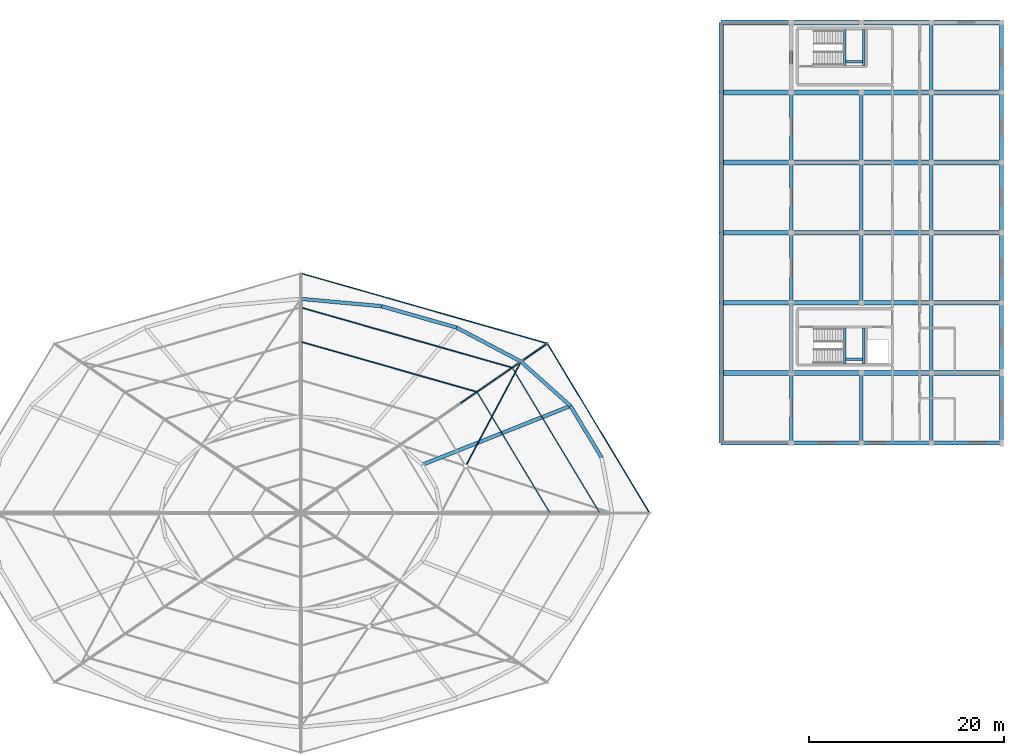
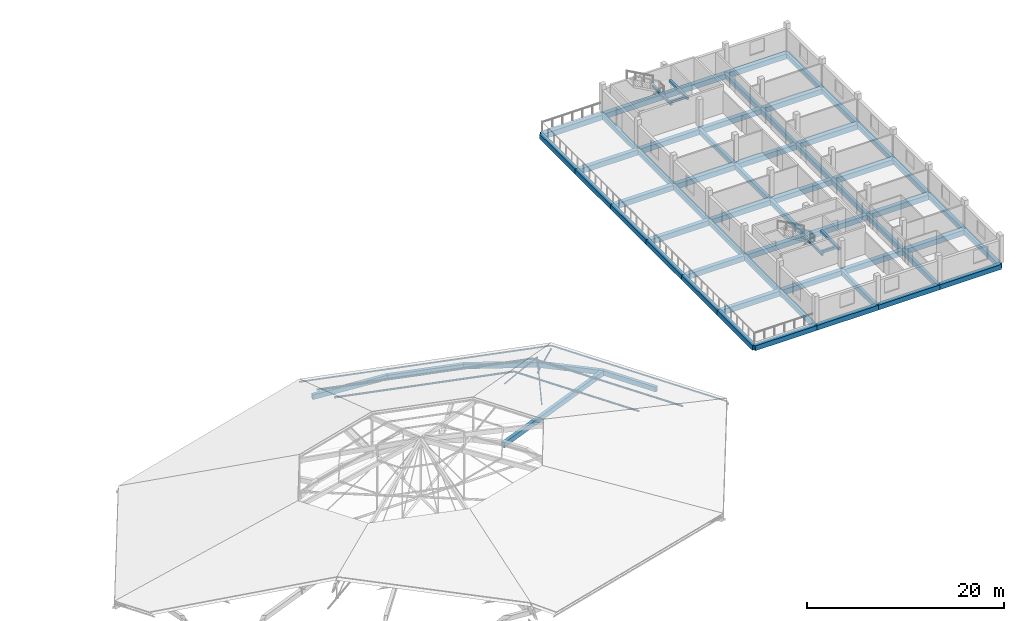
# One storey, part 39 of 66: 68 beams, 9 members.
"""IFC4 building model written with IfcOpenShell, lengths in metres."""

from ifc_helpers import new_model, si_unit, direction, frame, origin, origin_2d, place, context, subcontext, project, spatial, rectangle, hollow_rectangle, hollow_circle, i_section, extrude, material, material_profile, profile_set, type_object, element, save


model = new_model("IFC4")

# Units and contexts
model_context = context("Model", 3, precision=1e-05, world=origin(), true_north=direction((0.0, 1.0)))
body_context = subcontext(model_context, "Body", "Model", "MODEL_VIEW")
ifc_project = project(units=[si_unit("LENGTHUNIT", "METRE"), si_unit("AREAUNIT", "SQUARE_METRE"), si_unit("VOLUMEUNIT", "CUBIC_METRE"), si_unit("PLANEANGLEUNIT", "RADIAN"), si_unit("MASSUNIT", "GRAM", prefix="KILO")], contexts=[model_context])

# Site, building, storey
site_placement = place(None, origin())
site = spatial("IfcSite", under=ifc_project, at=site_placement, CompositionType="ELEMENT")
building_placement = place(site_placement, origin())
building = spatial("IfcBuilding", under=site, at=building_placement, Name="Zornivar Specialist Clinic", CompositionType="ELEMENT")
storey_placement = place(building_placement, frame((0.0, 0.0, 16.0)))
storey = spatial("IfcBuildingStorey", under=building, at=storey_placement, Name="L04", CompositionType="ELEMENT", Elevation=16.0)

# Beams
ifc_material_1 = material(Name="Concrete C30/37", Category="concrete")
ifc_material_profile_1 = material_profile(ifc_material_1, rectangle(XDim=0.25, YDim=0.300048828125, at=origin_2d()), Name="RC 250x300")
ifc_profile_set_1 = profile_set([ifc_material_profile_1], Name="Concrete C30/37")
beam_type_1 = type_object("IfcBeamType", Name="BM-LAND-250x300", PredefinedType="BEAM", material=ifc_profile_set_1)
for number, where, z_axis, x_axis, name in (
    (1, (149.5, 72.919921875, 1.52001953125), (0.0, 1.0, 0.0), (-1.0, 0.0, 0.0), "bm:stair:C9:L04:lW"),
    (2, (151.4599609375, 72.919921875, 1.52001953125), (0.0, 1.0, 0.0), (-1.0, 0.0, 0.0), "bm:stair:C9:L04:lE"),
):
    element("IfcBeam", number, at=place(storey_placement, frame(where, z_axis=z_axis, x_axis=x_axis)), inside=storey, type_object=beam_type_1, Name=name, PredefinedType="BEAM", context=body_context, shape_type="SweptSolid", body=[
        extrude(rectangle(XDim=0.25, YDim=0.300048828125, at=origin_2d()), origin(), (0.0, 0.0, 1.0), 3.68017578125),
    ])
beam_1_placement = place(storey_placement, frame((149.635009765625, 73.3798828125, 1.52001953125), z_axis=(1.0, 0.0, 0.0), x_axis=(0.0, 1.0, 0.0)))
element("IfcBeam", 3, at=beam_1_placement, inside=storey, type_object=beam_type_1, Name="bm:stair:C9:L04:lS", PredefinedType="BEAM", context=body_context, shape_type="SweptSolid", body=[
    extrude(rectangle(XDim=0.25, YDim=0.300048828125, at=origin_2d()), origin(), (0.0, 0.0, 1.0), 1.68994140625),
])
for number, where, z_axis, x_axis, name in (
    (4, (149.5, 103.60009765625, 1.52001953125), (0.0, 1.0, 0.0), (-1.0, 0.0, 0.0), "bm:stair:C10:L04:lW"),
    (5, (151.4599609375, 103.60009765625, 1.52001953125), (0.0, 1.0, 0.0), (-1.0, 0.0, 0.0), "bm:stair:C10:L04:lE"),
):
    element("IfcBeam", number, at=place(storey_placement, frame(where, z_axis=z_axis, x_axis=x_axis)), inside=storey, type_object=beam_type_1, Name=name, PredefinedType="BEAM", context=body_context, shape_type="SweptSolid", body=[
        extrude(rectangle(XDim=0.25, YDim=0.300048828125, at=origin_2d()), origin(), (0.0, 0.0, 1.0), 3.679931640625),
    ])
beam_2_placement = place(storey_placement, frame((149.635009765625, 103.97998046875, 1.52001953125), z_axis=(1.0, 0.0, 0.0), x_axis=(0.0, 1.0, 0.0)))
element("IfcBeam", 6, at=beam_2_placement, inside=storey, type_object=beam_type_1, Name="bm:stair:C10:L04:lS", PredefinedType="BEAM", context=body_context, shape_type="SweptSolid", body=[
    extrude(rectangle(XDim=0.25, YDim=0.300048828125, at=origin_2d()), origin(), (0.0, 0.0, 1.0), 1.68994140625),
])
ifc_material_2 = material(Name="Concrete C30/37", Category="concrete")
ifc_material_profile_2 = material_profile(ifc_material_2, rectangle(XDim=0.360107421875, YDim=0.60009765625, at=origin_2d()), Name="RC 360x600")
ifc_profile_set_2 = profile_set([ifc_material_profile_2], Name="Concrete C30/37")
beam_type_2 = type_object("IfcBeamType", Name="BM-RC-360x600", PredefinedType="BEAM", material=ifc_profile_set_2)
for number, where, z_axis, x_axis, name in (
    (7, (144.0, 64.800048828125, -0.6201171875), (0.0, 1.0, 0.0), (-1.0, 0.0, 0.0), "bm:V6:L04:y:1440:0"),
    (8, (144.0, 72.0, -0.6201171875), (0.0, 1.0, 0.0), (-1.0, 0.0, 0.0), "bm:V6:L04:y:1440:1"),
    (9, (144.0, 79.199951171875, -0.6201171875), (0.0, 1.0, 0.0), (-1.0, 0.0, 0.0), "bm:V6:L04:y:1440:2"),
):
    element("IfcBeam", number, at=place(storey_placement, frame(where, z_axis=z_axis, x_axis=x_axis)), inside=storey, type_object=beam_type_2, Name=name, PredefinedType="BEAM", context=body_context, shape_type="SweptSolid", body=[
        extrude(rectangle(XDim=0.360107421875, YDim=0.60009765625, at=origin_2d()), origin(), (0.0, 0.0, 1.0), 7.199951171875),
    ])
beam_3_placement = place(storey_placement, frame((144.0, 86.39990234375, -0.6201171875), z_axis=(0.0, 1.0, 0.0), x_axis=(-1.0, 0.0, 0.0)))
element("IfcBeam", 10, at=beam_3_placement, inside=storey, type_object=beam_type_2, Name="bm:V6:L04:y:1440:3", PredefinedType="BEAM", context=body_context, shape_type="SweptSolid", body=[
    extrude(rectangle(XDim=0.360107421875, YDim=0.60009765625, at=origin_2d()), origin(), (0.0, 0.0, 1.0), 7.2001953125),
])
for number, where, z_axis, x_axis, name in (
    (11, (144.0, 93.60009765625, -0.6201171875), (0.0, 1.0, 0.0), (-1.0, 0.0, 0.0), "bm:V6:L04:y:1440:4"),
    (12, (144.0, 100.800048828125, -0.6201171875), (0.0, 1.0, 0.0), (-1.0, 0.0, 0.0), "bm:V6:L04:y:1440:5"),
    (13, (151.199951171875, 64.800048828125, -0.6201171875), (0.0, 1.0, 0.0), (-1.0, 0.0, 0.0), "bm:V6:L04:y:1512:0"),
    (14, (151.199951171875, 79.199951171875, -0.6201171875), (0.0, 1.0, 0.0), (-1.0, 0.0, 0.0), "bm:V6:L04:y:1512:2"),
):
    element("IfcBeam", number, at=place(storey_placement, frame(where, z_axis=z_axis, x_axis=x_axis)), inside=storey, type_object=beam_type_2, Name=name, PredefinedType="BEAM", context=body_context, shape_type="SweptSolid", body=[
        extrude(rectangle(XDim=0.360107421875, YDim=0.60009765625, at=origin_2d()), origin(), (0.0, 0.0, 1.0), 7.199951171875),
    ])
beam_4_placement = place(storey_placement, frame((151.199951171875, 86.39990234375, -0.6201171875), z_axis=(0.0, 1.0, 0.0), x_axis=(-1.0, 0.0, 0.0)))
element("IfcBeam", 15, at=beam_4_placement, inside=storey, type_object=beam_type_2, Name="bm:V6:L04:y:1512:3", PredefinedType="BEAM", context=body_context, shape_type="SweptSolid", body=[
    extrude(rectangle(XDim=0.360107421875, YDim=0.60009765625, at=origin_2d()), origin(), (0.0, 0.0, 1.0), 7.2001953125),
])
for number, where, z_axis, x_axis, name in (
    (16, (151.199951171875, 93.60009765625, -0.6201171875), (0.0, 1.0, 0.0), (-1.0, 0.0, 0.0), "bm:V6:L04:y:1512:4"),
    (17, (158.39990234375, 64.800048828125, -0.6201171875), (0.0, 1.0, 0.0), (-1.0, 0.0, 0.0), "bm:V6:L04:y:1584:0"),
    (18, (158.39990234375, 72.0, -0.6201171875), (0.0, 1.0, 0.0), (-1.0, 0.0, 0.0), "bm:V6:L04:y:1584:1"),
    (19, (158.39990234375, 79.199951171875, -0.6201171875), (0.0, 1.0, 0.0), (-1.0, 0.0, 0.0), "bm:V6:L04:y:1584:2"),
):
    element("IfcBeam", number, at=place(storey_placement, frame(where, z_axis=z_axis, x_axis=x_axis)), inside=storey, type_object=beam_type_2, Name=name, PredefinedType="BEAM", context=body_context, shape_type="SweptSolid", body=[
        extrude(rectangle(XDim=0.360107421875, YDim=0.60009765625, at=origin_2d()), origin(), (0.0, 0.0, 1.0), 7.199951171875),
    ])
beam_5_placement = place(storey_placement, frame((158.39990234375, 86.39990234375, -0.6201171875), z_axis=(0.0, 1.0, 0.0), x_axis=(-1.0, 0.0, 0.0)))
element("IfcBeam", 20, at=beam_5_placement, inside=storey, type_object=beam_type_2, Name="bm:V6:L04:y:1584:3", PredefinedType="BEAM", context=body_context, shape_type="SweptSolid", body=[
    extrude(rectangle(XDim=0.360107421875, YDim=0.60009765625, at=origin_2d()), origin(), (0.0, 0.0, 1.0), 7.2001953125),
])
for number, where, z_axis, x_axis, name in (
    (21, (158.39990234375, 93.60009765625, -0.6201171875), (0.0, 1.0, 0.0), (-1.0, 0.0, 0.0), "bm:V6:L04:y:1584:4"),
    (22, (158.39990234375, 100.800048828125, -0.6201171875), (0.0, 1.0, 0.0), (-1.0, 0.0, 0.0), "bm:V6:L04:y:1584:5"),
):
    element("IfcBeam", number, at=place(storey_placement, frame(where, z_axis=z_axis, x_axis=x_axis)), inside=storey, type_object=beam_type_2, Name=name, PredefinedType="BEAM", context=body_context, shape_type="SweptSolid", body=[
        extrude(rectangle(XDim=0.360107421875, YDim=0.60009765625, at=origin_2d()), origin(), (0.0, 0.0, 1.0), 7.199951171875),
    ])
ifc_material_3 = material(Name="Concrete C30/37", Category="concrete")
ifc_material_profile_3 = material_profile(ifc_material_3, rectangle(XDim=0.5, YDim=0.64990234375, at=origin_2d()), Name="RC 500x650")
ifc_profile_set_3 = profile_set([ifc_material_profile_3], Name="Concrete C30/37")
beam_type_3 = type_object("IfcBeamType", Name="BM-RC-500x650", PredefinedType="BEAM", material=ifc_profile_set_3)
for number, where, z_axis, x_axis, name in (
    (23, (136.800048828125, 72.0, -0.64501953125), (1.0, 0.0, 0.0), (0.0, 1.0, 0.0), "bm:V6:L04:x:720:0"),
    (24, (144.0, 72.0, -0.64501953125), (1.0, 0.0, 0.0), (0.0, 1.0, 0.0), "bm:V6:L04:x:720:1"),
    (25, (151.199951171875, 72.0, -0.64501953125), (1.0, 0.0, 0.0), (0.0, 1.0, 0.0), "bm:V6:L04:x:720:2"),
):
    element("IfcBeam", number, at=place(storey_placement, frame(where, z_axis=z_axis, x_axis=x_axis)), inside=storey, type_object=beam_type_3, Name=name, PredefinedType="BEAM", context=body_context, shape_type="SweptSolid", body=[
        extrude(rectangle(XDim=0.5, YDim=0.64990234375, at=origin_2d()), origin(), (0.0, 0.0, 1.0), 7.199951171875),
    ])
beam_6_placement = place(storey_placement, frame((158.39990234375, 72.0, -0.64501953125), z_axis=(1.0, 0.0, 0.0), x_axis=(0.0, 1.0, 0.0)))
element("IfcBeam", 26, at=beam_6_placement, inside=storey, type_object=beam_type_3, Name="bm:V6:L04:x:720:3", PredefinedType="BEAM", context=body_context, shape_type="SweptSolid", body=[
    extrude(rectangle(XDim=0.5, YDim=0.64990234375, at=origin_2d()), origin(), (0.0, 0.0, 1.0), 7.2001953125),
])
for number, where, z_axis, x_axis, name in (
    (27, (136.800048828125, 79.199951171875, -0.64501953125), (1.0, 0.0, 0.0), (0.0, 1.0, 0.0), "bm:V6:L04:x:792:0"),
    (28, (144.0, 79.199951171875, -0.64501953125), (1.0, 0.0, 0.0), (0.0, 1.0, 0.0), "bm:V6:L04:x:792:1"),
    (29, (151.199951171875, 79.199951171875, -0.64501953125), (1.0, 0.0, 0.0), (0.0, 1.0, 0.0), "bm:V6:L04:x:792:2"),
):
    element("IfcBeam", number, at=place(storey_placement, frame(where, z_axis=z_axis, x_axis=x_axis)), inside=storey, type_object=beam_type_3, Name=name, PredefinedType="BEAM", context=body_context, shape_type="SweptSolid", body=[
        extrude(rectangle(XDim=0.5, YDim=0.64990234375, at=origin_2d()), origin(), (0.0, 0.0, 1.0), 7.199951171875),
    ])
beam_7_placement = place(storey_placement, frame((158.39990234375, 79.199951171875, -0.64501953125), z_axis=(1.0, 0.0, 0.0), x_axis=(0.0, 1.0, 0.0)))
element("IfcBeam", 30, at=beam_7_placement, inside=storey, type_object=beam_type_3, Name="bm:V6:L04:x:792:3", PredefinedType="BEAM", context=body_context, shape_type="SweptSolid", body=[
    extrude(rectangle(XDim=0.5, YDim=0.64990234375, at=origin_2d()), origin(), (0.0, 0.0, 1.0), 7.2001953125),
])
for number, where, z_axis, x_axis, name in (
    (31, (136.800048828125, 86.39990234375, -0.64501953125), (1.0, 0.0, 0.0), (0.0, 1.0, 0.0), "bm:V6:L04:x:864:0"),
    (32, (144.0, 86.39990234375, -0.64501953125), (1.0, 0.0, 0.0), (0.0, 1.0, 0.0), "bm:V6:L04:x:864:1"),
    (33, (151.199951171875, 86.39990234375, -0.64501953125), (1.0, 0.0, 0.0), (0.0, 1.0, 0.0), "bm:V6:L04:x:864:2"),
):
    element("IfcBeam", number, at=place(storey_placement, frame(where, z_axis=z_axis, x_axis=x_axis)), inside=storey, type_object=beam_type_3, Name=name, PredefinedType="BEAM", context=body_context, shape_type="SweptSolid", body=[
        extrude(rectangle(XDim=0.5, YDim=0.64990234375, at=origin_2d()), origin(), (0.0, 0.0, 1.0), 7.199951171875),
    ])
beam_8_placement = place(storey_placement, frame((158.39990234375, 86.39990234375, -0.64501953125), z_axis=(1.0, 0.0, 0.0), x_axis=(0.0, 1.0, 0.0)))
element("IfcBeam", 34, at=beam_8_placement, inside=storey, type_object=beam_type_3, Name="bm:V6:L04:x:864:3", PredefinedType="BEAM", context=body_context, shape_type="SweptSolid", body=[
    extrude(rectangle(XDim=0.5, YDim=0.64990234375, at=origin_2d()), origin(), (0.0, 0.0, 1.0), 7.2001953125),
])
for number, where, z_axis, x_axis, name in (
    (35, (136.800048828125, 93.60009765625, -0.64501953125), (1.0, 0.0, 0.0), (0.0, 1.0, 0.0), "bm:V6:L04:x:936:0"),
    (36, (144.0, 93.60009765625, -0.64501953125), (1.0, 0.0, 0.0), (0.0, 1.0, 0.0), "bm:V6:L04:x:936:1"),
    (37, (151.199951171875, 93.60009765625, -0.64501953125), (1.0, 0.0, 0.0), (0.0, 1.0, 0.0), "bm:V6:L04:x:936:2"),
):
    element("IfcBeam", number, at=place(storey_placement, frame(where, z_axis=z_axis, x_axis=x_axis)), inside=storey, type_object=beam_type_3, Name=name, PredefinedType="BEAM", context=body_context, shape_type="SweptSolid", body=[
        extrude(rectangle(XDim=0.5, YDim=0.64990234375, at=origin_2d()), origin(), (0.0, 0.0, 1.0), 7.199951171875),
    ])
beam_9_placement = place(storey_placement, frame((158.39990234375, 93.60009765625, -0.64501953125), z_axis=(1.0, 0.0, 0.0), x_axis=(0.0, 1.0, 0.0)))
element("IfcBeam", 38, at=beam_9_placement, inside=storey, type_object=beam_type_3, Name="bm:V6:L04:x:936:3", PredefinedType="BEAM", context=body_context, shape_type="SweptSolid", body=[
    extrude(rectangle(XDim=0.5, YDim=0.64990234375, at=origin_2d()), origin(), (0.0, 0.0, 1.0), 7.2001953125),
])
for number, where, z_axis, x_axis, name in (
    (39, (136.800048828125, 100.800048828125, -0.64501953125), (1.0, 0.0, 0.0), (0.0, 1.0, 0.0), "bm:V6:L04:x:1008:0"),
    (40, (144.0, 100.800048828125, -0.64501953125), (1.0, 0.0, 0.0), (0.0, 1.0, 0.0), "bm:V6:L04:x:1008:1"),
    (41, (151.199951171875, 100.800048828125, -0.64501953125), (1.0, 0.0, 0.0), (0.0, 1.0, 0.0), "bm:V6:L04:x:1008:2"),
):
    element("IfcBeam", number, at=place(storey_placement, frame(where, z_axis=z_axis, x_axis=x_axis)), inside=storey, type_object=beam_type_3, Name=name, PredefinedType="BEAM", context=body_context, shape_type="SweptSolid", body=[
        extrude(rectangle(XDim=0.5, YDim=0.64990234375, at=origin_2d()), origin(), (0.0, 0.0, 1.0), 7.199951171875),
    ])
beam_10_placement = place(storey_placement, frame((158.39990234375, 100.800048828125, -0.64501953125), z_axis=(1.0, 0.0, 0.0), x_axis=(0.0, 1.0, 0.0)))
element("IfcBeam", 42, at=beam_10_placement, inside=storey, type_object=beam_type_3, Name="bm:V6:L04:x:1008:3", PredefinedType="BEAM", context=body_context, shape_type="SweptSolid", body=[
    extrude(rectangle(XDim=0.5, YDim=0.64990234375, at=origin_2d()), origin(), (0.0, 0.0, 1.0), 7.2001953125),
])
for number, where, z_axis, x_axis, name in (
    (43, (136.800048828125, 108.0, -0.64501953125), (1.0, 0.0, 0.0), (0.0, 1.0, 0.0), "bm:V6:L04:x:1080:0"),
    (44, (144.0, 108.0, -0.64501953125), (1.0, 0.0, 0.0), (0.0, 1.0, 0.0), "bm:V6:L04:x:1080:1"),
    (45, (151.199951171875, 108.0, -0.64501953125), (1.0, 0.0, 0.0), (0.0, 1.0, 0.0), "bm:V6:L04:x:1080:2"),
):
    element("IfcBeam", number, at=place(storey_placement, frame(where, z_axis=z_axis, x_axis=x_axis)), inside=storey, type_object=beam_type_3, Name=name, PredefinedType="BEAM", context=body_context, shape_type="SweptSolid", body=[
        extrude(rectangle(XDim=0.5, YDim=0.64990234375, at=origin_2d()), origin(), (0.0, 0.0, 1.0), 7.199951171875),
    ])
beam_11_placement = place(storey_placement, frame((158.39990234375, 108.0, -0.64501953125), z_axis=(1.0, 0.0, 0.0), x_axis=(0.0, 1.0, 0.0)))
element("IfcBeam", 46, at=beam_11_placement, inside=storey, type_object=beam_type_3, Name="bm:V6:L04:x:1080:3", PredefinedType="BEAM", context=body_context, shape_type="SweptSolid", body=[
    extrude(rectangle(XDim=0.5, YDim=0.64990234375, at=origin_2d()), origin(), (0.0, 0.0, 1.0), 7.2001953125),
])
ifc_material_4 = material(Name="Concrete C30/37", Category="concrete")
ifc_material_profile_4 = material_profile(ifc_material_4, rectangle(XDim=0.3798828125, YDim=0.6201171875, at=origin_2d()), Name="RC 380x620")
ifc_profile_set_4 = profile_set([ifc_material_profile_4], Name="Concrete C30/37")
beam_type_4 = type_object("IfcBeamType", Name="BM-RC-CANT-380x620", PredefinedType="BEAM", material=ifc_profile_set_4)
beam_12_placement = place(storey_placement, frame((106.071044921875, 62.550048828125, -0.550048828125), z_axis=(0.929456031673, 0.368932900657, 0.0), x_axis=(-0.368932900657, 0.929456031673, 0.0)))
element("IfcBeam", 47, at=beam_12_placement, inside=storey, type_object=beam_type_4, Name="bm:V1:L04:radcant:02", PredefinedType="BEAM", context=body_context, shape_type="SweptSolid", body=[
    extrude(rectangle(XDim=0.3798828125, YDim=0.6201171875, at=origin_2d()), origin(), (0.0, 0.0, 1.0), 16.398681640625),
])
ifc_material_5 = material(Name="Concrete C30/37", Category="concrete")
ifc_material_profile_5 = material_profile(ifc_material_5, rectangle(XDim=0.3701171875, YDim=0.60009765625, at=origin_2d()), Name="RC 370x600")
ifc_profile_set_5 = profile_set([ifc_material_profile_5], Name="Concrete C30/37")
beam_type_5 = type_object("IfcBeamType", Name="BM-RC-SPANDREL-370x600", PredefinedType="SPANDREL", material=ifc_profile_set_5)
beam_13_placement = place(storey_placement, frame((124.510009765625, 63.2939453125, -0.5400390625), z_axis=(-0.516077084803, 0.856542142887, 0.0), x_axis=(-0.856542142887, -0.516077084803, 0.0)))
element("IfcBeam", 48, at=beam_13_placement, inside=storey, type_object=beam_type_5, Name="bm:V1:L04:outring:01", PredefinedType="SPANDREL", context=body_context, shape_type="SweptSolid", body=[
    extrude(rectangle(XDim=0.3701171875, YDim=0.60009765625, at=origin_2d()), origin(), (0.0, 0.0, 1.0), 6.19482421875),
])
beam_14_placement = place(storey_placement, frame((121.31298828125, 68.60009765625, -0.5400390625), z_axis=(-0.744853105459, 0.66722848507, 0.0), x_axis=(-0.66722848507, -0.744853105459, 0.0)))
element("IfcBeam", 49, at=beam_14_placement, inside=storey, type_object=beam_type_5, Name="bm:V1:L04:outring:02", PredefinedType="SPANDREL", context=body_context, shape_type="SweptSolid", body=[
    extrude(rectangle(XDim=0.3701171875, YDim=0.60009765625, at=origin_2d()), origin(), (0.0, 0.0, 1.0), 6.828125),
])
beam_15_placement = place(storey_placement, frame((116.22705078125, 73.156005859375, -0.5400390625), z_axis=(-0.884411650878, 0.466707651311, 0.0), x_axis=(-0.466707651311, -0.884411650878, 0.0)))
element("IfcBeam", 50, at=beam_15_placement, inside=storey, type_object=beam_type_5, Name="bm:V1:L04:outring:03", PredefinedType="SPANDREL", context=body_context, shape_type="SweptSolid", body=[
    extrude(rectangle(XDim=0.3701171875, YDim=0.60009765625, at=origin_2d()), origin(), (0.0, 0.0, 1.0), 7.4931640625),
])
beam_16_placement = place(storey_placement, frame((109.60009765625, 76.653076171875, -0.5400390625), z_axis=(-0.961790992591, 0.273784744957, 0.0), x_axis=(-0.273784744957, -0.961790992591, 0.0)))
element("IfcBeam", 51, at=beam_16_placement, inside=storey, type_object=beam_type_5, Name="bm:V1:L04:outring:04", PredefinedType="SPANDREL", context=body_context, shape_type="SweptSolid", body=[
    extrude(rectangle(XDim=0.3701171875, YDim=0.60009765625, at=origin_2d()), origin(), (0.0, 0.0, 1.0), 8.024658203125),
])
beam_17_placement = place(storey_placement, frame((101.882080078125, 78.85009765625, -0.5400390625), z_axis=(-0.99592467027, 0.09018897465, 0.0), x_axis=(-0.09018897465, -0.99592467027, 0.0)))
element("IfcBeam", 52, at=beam_17_placement, inside=storey, type_object=beam_type_5, Name="bm:V1:L04:outring:05", PredefinedType="SPANDREL", context=body_context, shape_type="SweptSolid", body=[
    extrude(rectangle(XDim=0.3701171875, YDim=0.60009765625, at=origin_2d()), origin(), (0.0, 0.0, 1.0), 8.31591796875),
])
ifc_material_6 = material(Name="Concrete C30/37", Category="concrete")
ifc_material_profile_6 = material_profile(ifc_material_6, rectangle(XDim=0.419921875, YDim=0.60009765625, at=origin_2d()), Name="RC 420x600")
ifc_profile_set_6 = profile_set([ifc_material_profile_6], Name="Concrete C30/37")
beam_type_6 = type_object("IfcBeamType", Name="BM-RC-SPANDREL-420x600", PredefinedType="SPANDREL", material=ifc_profile_set_6)
for number, where, z_axis, x_axis, name in (
    (53, (136.800048828125, 64.800048828125, -0.6201171875), (1.0, 0.0, 0.0), (0.0, 1.0, 0.0), "bm:V6:L04:x:648:0"),
    (54, (144.0, 64.800048828125, -0.6201171875), (1.0, 0.0, 0.0), (0.0, 1.0, 0.0), "bm:V6:L04:x:648:1"),
    (55, (151.199951171875, 64.800048828125, -0.6201171875), (1.0, 0.0, 0.0), (0.0, 1.0, 0.0), "bm:V6:L04:x:648:2"),
):
    element("IfcBeam", number, at=place(storey_placement, frame(where, z_axis=z_axis, x_axis=x_axis)), inside=storey, type_object=beam_type_6, Name=name, PredefinedType="SPANDREL", context=body_context, shape_type="SweptSolid", body=[
        extrude(rectangle(XDim=0.419921875, YDim=0.60009765625, at=origin_2d()), origin(), (0.0, 0.0, 1.0), 7.199951171875),
    ])
beam_18_placement = place(storey_placement, frame((158.39990234375, 64.800048828125, -0.6201171875), z_axis=(1.0, 0.0, 0.0), x_axis=(0.0, 1.0, 0.0)))
element("IfcBeam", 56, at=beam_18_placement, inside=storey, type_object=beam_type_6, Name="bm:V6:L04:x:648:3", PredefinedType="SPANDREL", context=body_context, shape_type="SweptSolid", body=[
    extrude(rectangle(XDim=0.419921875, YDim=0.60009765625, at=origin_2d()), origin(), (0.0, 0.0, 1.0), 7.2001953125),
])
for number, where, z_axis, x_axis, name in (
    (57, (136.800048828125, 64.800048828125, -0.6201171875), (0.0, 1.0, 0.0), (-1.0, 0.0, 0.0), "bm:V6:L04:y:1368:0"),
    (58, (136.800048828125, 72.0, -0.6201171875), (0.0, 1.0, 0.0), (-1.0, 0.0, 0.0), "bm:V6:L04:y:1368:1"),
    (59, (136.800048828125, 79.199951171875, -0.6201171875), (0.0, 1.0, 0.0), (-1.0, 0.0, 0.0), "bm:V6:L04:y:1368:2"),
):
    element("IfcBeam", number, at=place(storey_placement, frame(where, z_axis=z_axis, x_axis=x_axis)), inside=storey, type_object=beam_type_6, Name=name, PredefinedType="SPANDREL", context=body_context, shape_type="SweptSolid", body=[
        extrude(rectangle(XDim=0.419921875, YDim=0.60009765625, at=origin_2d()), origin(), (0.0, 0.0, 1.0), 7.199951171875),
    ])
beam_19_placement = place(storey_placement, frame((136.800048828125, 86.39990234375, -0.6201171875), z_axis=(0.0, 1.0, 0.0), x_axis=(-1.0, 0.0, 0.0)))
element("IfcBeam", 60, at=beam_19_placement, inside=storey, type_object=beam_type_6, Name="bm:V6:L04:y:1368:3", PredefinedType="SPANDREL", context=body_context, shape_type="SweptSolid", body=[
    extrude(rectangle(XDim=0.419921875, YDim=0.60009765625, at=origin_2d()), origin(), (0.0, 0.0, 1.0), 7.2001953125),
])
for number, where, z_axis, x_axis, name in (
    (61, (136.800048828125, 93.60009765625, -0.6201171875), (0.0, 1.0, 0.0), (-1.0, 0.0, 0.0), "bm:V6:L04:y:1368:4"),
    (62, (136.800048828125, 100.800048828125, -0.6201171875), (0.0, 1.0, 0.0), (-1.0, 0.0, 0.0), "bm:V6:L04:y:1368:5"),
    (63, (165.60009765625, 64.800048828125, -0.6201171875), (0.0, 1.0, 0.0), (-1.0, 0.0, 0.0), "bm:V6:L04:y:1656:0"),
    (64, (165.60009765625, 72.0, -0.6201171875), (0.0, 1.0, 0.0), (-1.0, 0.0, 0.0), "bm:V6:L04:y:1656:1"),
    (65, (165.60009765625, 79.199951171875, -0.6201171875), (0.0, 1.0, 0.0), (-1.0, 0.0, 0.0), "bm:V6:L04:y:1656:2"),
):
    element("IfcBeam", number, at=place(storey_placement, frame(where, z_axis=z_axis, x_axis=x_axis)), inside=storey, type_object=beam_type_6, Name=name, PredefinedType="SPANDREL", context=body_context, shape_type="SweptSolid", body=[
        extrude(rectangle(XDim=0.419921875, YDim=0.60009765625, at=origin_2d()), origin(), (0.0, 0.0, 1.0), 7.199951171875),
    ])
beam_20_placement = place(storey_placement, frame((165.60009765625, 86.39990234375, -0.6201171875), z_axis=(0.0, 1.0, 0.0), x_axis=(-1.0, 0.0, 0.0)))
element("IfcBeam", 66, at=beam_20_placement, inside=storey, type_object=beam_type_6, Name="bm:V6:L04:y:1656:3", PredefinedType="SPANDREL", context=body_context, shape_type="SweptSolid", body=[
    extrude(rectangle(XDim=0.419921875, YDim=0.60009765625, at=origin_2d()), origin(), (0.0, 0.0, 1.0), 7.2001953125),
])
for number, where, z_axis, x_axis, name in (
    (67, (165.60009765625, 93.60009765625, -0.6201171875), (0.0, 1.0, 0.0), (-1.0, 0.0, 0.0), "bm:V6:L04:y:1656:4"),
    (68, (165.60009765625, 100.800048828125, -0.6201171875), (0.0, 1.0, 0.0), (-1.0, 0.0, 0.0), "bm:V6:L04:y:1656:5"),
):
    element("IfcBeam", number, at=place(storey_placement, frame(where, z_axis=z_axis, x_axis=x_axis)), inside=storey, type_object=beam_type_6, Name=name, PredefinedType="SPANDREL", context=body_context, shape_type="SweptSolid", body=[
        extrude(rectangle(XDim=0.419921875, YDim=0.60009765625, at=origin_2d()), origin(), (0.0, 0.0, 1.0), 7.199951171875),
    ])

# Members
ifc_material_7 = material(Name="Steel S355J2", Category="steel")
ifc_material_profile_7 = material_profile(ifc_material_7, hollow_circle(Radius=0.06982421875, WallThickness=0.010009765625, at=origin_2d()), Name="CHS 139.7x10")
ifc_profile_set_7 = profile_set([ifc_material_profile_7], Name="Steel S355J2")
member_type_1 = type_object("IfcMemberType", Name="MEM-DIAG-CHS140H", PredefinedType="BRACE", material=ifc_profile_set_7)
member_1_placement = place(storey_placement, frame((116.22705078125, 73.156005859375, 0.360107421875), z_axis=(-0.808259490543, -0.555678399749, 0.19477708284), x_axis=(0.566528822887, -0.824041924199, 0.0)))
element("IfcMember", 69, at=member_1_placement, inside=storey, type_object=member_type_1, Name="mem:V1:L04:diag1:1", PredefinedType="BRACE", context=body_context, shape_type="SweptSolid", body=[
    extrude(hollow_circle(Radius=0.06982421875, WallThickness=0.010009765625, at=origin_2d()), origin(), (0.0, 0.0, 1.0), 7.839111328125),
])
ifc_material_8 = material(Name="Steel S355J2", Category="steel")
ifc_material_profile_8 = material_profile(ifc_material_8, hollow_rectangle(XDim=0.080078125, YDim=0.159912109375, WallThickness=0.008056640625, at=origin_2d()), Name="RHS 160x80x8")
ifc_profile_set_8 = profile_set([ifc_material_profile_8], Name="Steel S355J2")
member_type_2 = type_object("IfcMemberType", Name="MEM-EAVE-RHS160", PredefinedType="USERDEFINED", material=ifc_profile_set_8)
member_2_placement = place(storey_placement, frame((129.43994140625, 57.60009765625, -0.3359375), z_axis=(-0.516097512567, 0.856529834578, 0.0), x_axis=(-0.856529834578, -0.516097512567, 0.0)))
element("IfcMember", 70, at=member_2_placement, inside=storey, type_object=member_type_2, Name="mem:V1:L04:purl:0:00", ObjectType="EAVE RAFTER", PredefinedType="USERDEFINED", context=body_context, shape_type="SweptSolid", body=[
    extrude(hollow_rectangle(XDim=0.080078125, YDim=0.159912109375, WallThickness=0.008056640625, at=origin_2d()), origin(), (0.0, 0.0, 1.0), 20.34130859375),
])
member_3_placement = place(storey_placement, frame((118.94189453125, 75.02294921875, -0.3359375), z_axis=(-0.961758903664, 0.273897446543, 0.0), x_axis=(-0.273897446543, -0.961758903664, 0.0)))
element("IfcMember", 71, at=member_3_placement, inside=storey, type_object=member_type_2, Name="mem:V1:L04:purl:1:00", ObjectType="EAVE RAFTER", PredefinedType="USERDEFINED", context=body_context, shape_type="SweptSolid", body=[
    extrude(hollow_rectangle(XDim=0.080078125, YDim=0.159912109375, WallThickness=0.008056640625, at=origin_2d()), origin(), (0.0, 0.0, 1.0), 26.349365234375),
])
ifc_material_9 = material(Name="Steel S355J2", Category="steel")
ifc_material_profile_9 = material_profile(ifc_material_9, i_section(OverallWidth=0.10009765625, OverallDepth=0.199951171875, WebThickness=0.005615234375, FlangeThickness=0.008544921875, FilletRadius=0.011962890625, at=origin_2d()), Name="IPE 200")
ifc_profile_set_9 = profile_set([ifc_material_profile_9], Name="Steel S355J2")
member_type_3 = type_object("IfcMemberType", Name="MEM-PURLIN-IPE200", PredefinedType="PURLIN", material=ifc_profile_set_9)
member_4_placement = place(storey_placement, frame((124.320068359375, 57.60009765625, 0.8349609375), z_axis=(-0.516086656178, 0.856536375944, 0.0), x_axis=(-0.856536375944, -0.516086656178, 0.0)))
element("IfcMember", 72, at=member_4_placement, inside=storey, type_object=member_type_3, Name="mem:V1:L04:purl:0:01", PredefinedType="PURLIN", context=body_context, shape_type="SweptSolid", body=[
    extrude(i_section(OverallWidth=0.10009765625, OverallDepth=0.199951171875, WebThickness=0.005615234375, FlangeThickness=0.008544921875, FilletRadius=0.011962890625, at=origin_2d()), origin(), (0.0, 0.0, 1.0), 17.43505859375),
])
member_5_placement = place(storey_placement, frame((119.199951171875, 57.60009765625, 2.006103515625), z_axis=(-0.516071456731, 0.856545533844, 0.0), x_axis=(-0.856545533844, -0.516071456731, 0.0)))
element("IfcMember", 73, at=member_5_placement, inside=storey, type_object=member_type_3, Name="mem:V1:L04:purl:0:02", PredefinedType="PURLIN", context=body_context, shape_type="SweptSolid", body=[
    extrude(i_section(OverallWidth=0.10009765625, OverallDepth=0.199951171875, WebThickness=0.005615234375, FlangeThickness=0.008544921875, FilletRadius=0.011962890625, at=origin_2d()), origin(), (0.0, 0.0, 1.0), 14.529052734375),
])
member_6_placement = place(storey_placement, frame((115.322021484375, 72.533935546875, 0.8349609375), z_axis=(-0.961760177976, 0.273892971908, 0.0), x_axis=(-0.273892971908, -0.961760177976, 0.0)))
element("IfcMember", 74, at=member_6_placement, inside=storey, type_object=member_type_3, Name="mem:V1:L04:purl:1:01", PredefinedType="PURLIN", context=body_context, shape_type="SweptSolid", body=[
    extrude(i_section(OverallWidth=0.10009765625, OverallDepth=0.199951171875, WebThickness=0.005615234375, FlangeThickness=0.008544921875, FilletRadius=0.011962890625, at=origin_2d()), origin(), (0.0, 0.0, 1.0), 22.585693359375),
])
member_7_placement = place(storey_placement, frame((111.701904296875, 70.044921875, 2.006103515625), z_axis=(-0.961760988869, 0.273890124485, 0.0), x_axis=(-0.273890124485, -0.961760988869, 0.0)))
element("IfcMember", 75, at=member_7_placement, inside=storey, type_object=member_type_3, Name="mem:V1:L04:purl:1:02", PredefinedType="PURLIN", context=body_context, shape_type="SweptSolid", body=[
    extrude(i_section(OverallWidth=0.10009765625, OverallDepth=0.199951171875, WebThickness=0.005615234375, FlangeThickness=0.008544921875, FilletRadius=0.011962890625, at=origin_2d()), origin(), (0.0, 0.0, 1.0), 18.821533203125),
])
ifc_material_10 = material(Name="Steel S355J2", Category="steel")
ifc_material_profile_10 = material_profile(ifc_material_10, hollow_circle(Radius=0.084228515625, WallThickness=0.010009765625, at=origin_2d()), Name="CHS 168.3x10")
ifc_profile_set_10 = profile_set([ifc_material_profile_10], Name="Steel S355J2")
member_type_4 = type_object("IfcMemberType", Name="MEM-STRUT-CHS168", PredefinedType="STRUT", material=ifc_profile_set_10)
member_8_placement = place(storey_placement, frame((116.22705078125, 73.156005859375, -1.64990234375), z_axis=(0.791785482655, 0.544494926786, 0.276768900277), x_axis=(-0.566629450792, 0.823972733466, 0.0)))
element("IfcMember", 76, at=member_8_placement, inside=storey, type_object=member_type_4, Name="mem:V1:L04:ebrace:1", PredefinedType="STRUT", context=body_context, shape_type="SweptSolid", body=[
    extrude(hollow_circle(Radius=0.084228515625, WallThickness=0.010009765625, at=origin_2d()), origin(), (0.0, 0.0, 1.0), 3.4287109375),
])
ifc_material_11 = material(Name="Steel S355J2", Category="steel")
ifc_material_profile_11 = material_profile(ifc_material_11, hollow_circle(Radius=0.06982421875, WallThickness=0.008056640625, at=origin_2d()), Name="CHS 139.7x8")
ifc_profile_set_11 = profile_set([ifc_material_profile_11], Name="Steel S355J2")
member_type_5 = type_object("IfcMemberType", Name="MEM-WIND-CHS140", PredefinedType="BRACE", material=ifc_profile_set_11)
member_9_placement = place(storey_placement, frame((116.22705078125, 73.156005859375, 0.177001953125), z_axis=(-0.455755467075, -0.861701593486, 0.223063484272), x_axis=(0.883974280382, -0.467535529797, 0.0)))
element("IfcMember", 77, at=member_9_placement, inside=storey, type_object=member_type_5, Name="mem:V1:L04:wbraceB1:0", PredefinedType="BRACE", context=body_context, shape_type="SweptSolid", body=[
    extrude(hollow_circle(Radius=0.06982421875, WallThickness=0.008056640625, at=origin_2d()), origin(), (0.0, 0.0, 1.0), 12.44970703125),
])

save(model, "model.ifc")
